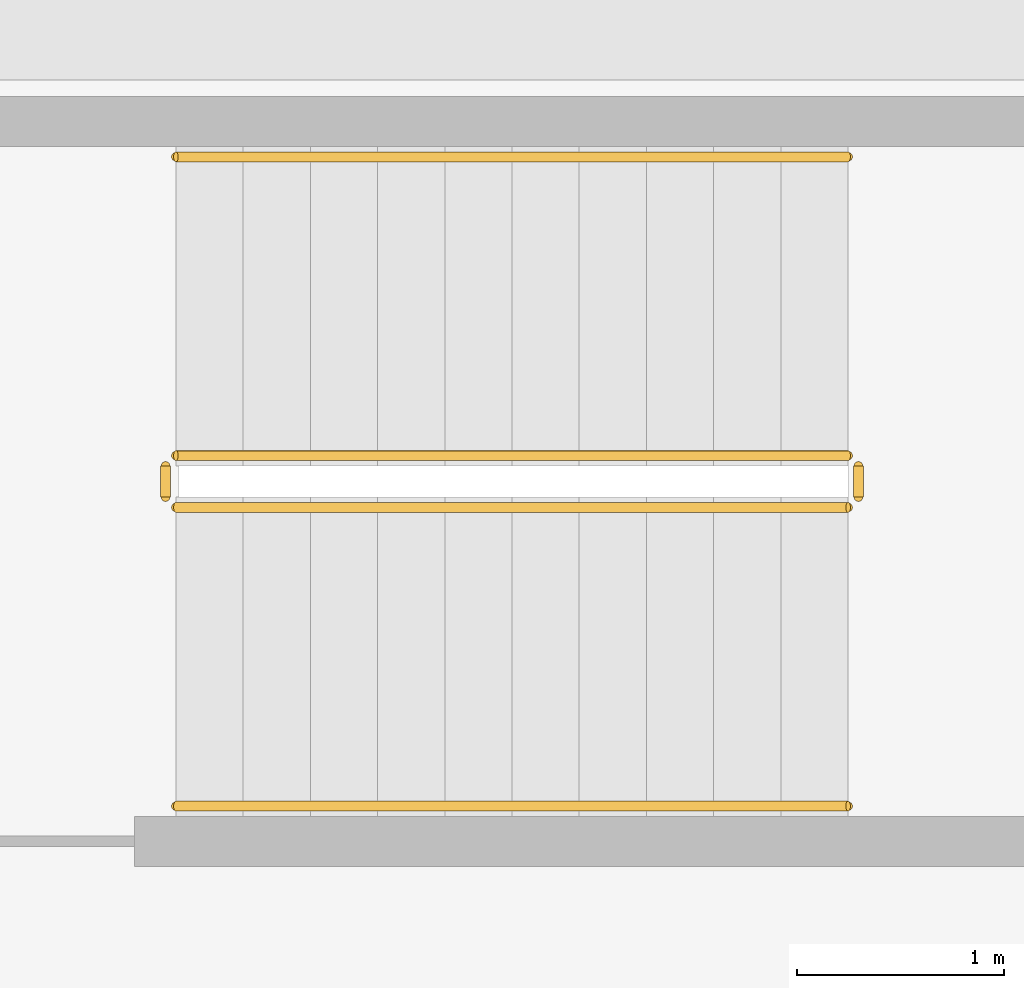
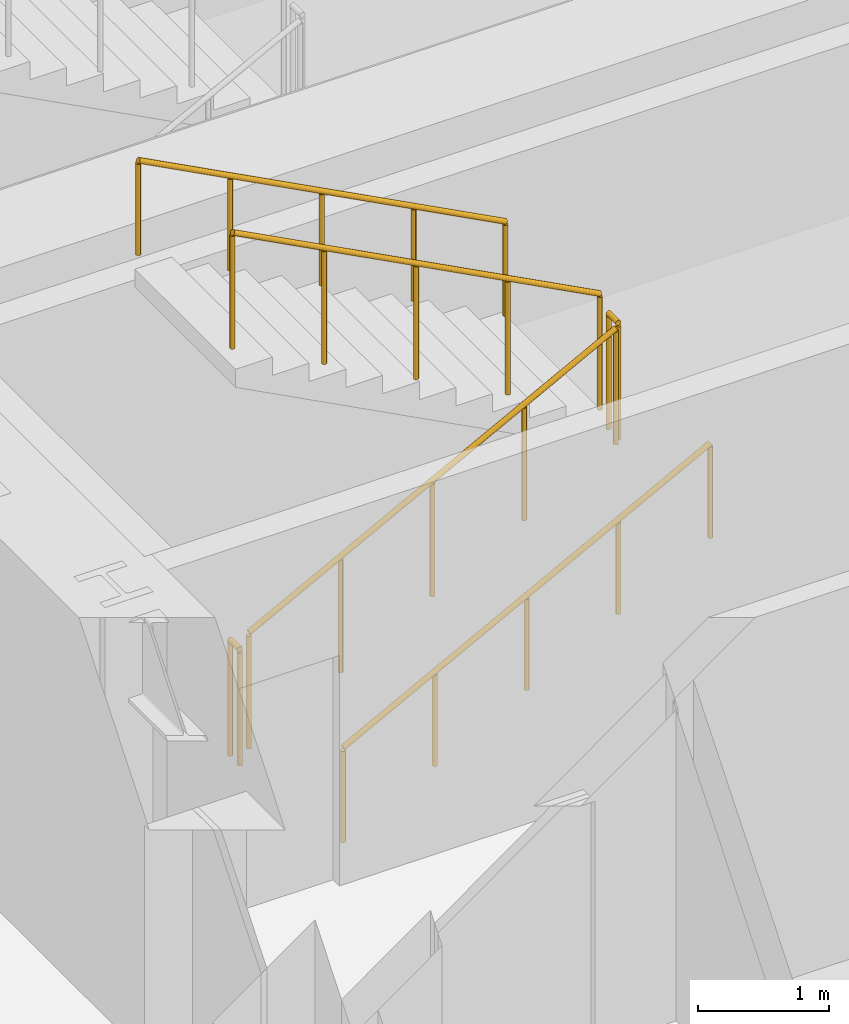
# One storey, part 11 of 14: 6 railings.
"""IFC4 building model written with IfcOpenShell, lengths in metres."""

from ifc_helpers import new_model, si_unit, direction, frame, origin, origin_2d, place, context, subcontext, project, spatial, circle, extrude, material, type_object, element, save


model = new_model("IFC4")

# Units and contexts
model_context = context("Model", 3, precision=1e-05, world=origin(), true_north=direction((0.0, 1.0)))
body_context = subcontext(model_context, "Body", "Model", "MODEL_VIEW")
ifc_project = project(units=[si_unit("LENGTHUNIT", "METRE"), si_unit("AREAUNIT", "SQUARE_METRE"), si_unit("VOLUMEUNIT", "CUBIC_METRE"), si_unit("PLANEANGLEUNIT", "RADIAN"), si_unit("MASSUNIT", "GRAM", prefix="KILO")], contexts=[model_context])

# Site, building, storey
site_placement = place(None, origin())
site = spatial("IfcSite", under=ifc_project, at=site_placement, CompositionType="ELEMENT")
building_placement = place(site_placement, origin())
building = spatial("IfcBuilding", under=site, at=building_placement, Name="Kolvaren Arena Tower", CompositionType="ELEMENT")
storey_placement = place(building_placement, frame((0.0, 0.0, 87.0)))
storey = spatial("IfcBuildingStorey", under=building, at=storey_placement, Name="L19", CompositionType="ELEMENT", Elevation=87.0)

# Railings
ifc_material_1 = material(Name="Painted galvanized steel", Category="steel")
railing_type_1 = type_object("IfcRailingType", Name="GUARD-ST-110", PredefinedType="GUARDRAIL", material=ifc_material_1)
railing_1_placement = place(storey_placement, frame((52.719970703125, 31.639892578125, 0.17041015625)))
element("IfcRailing", 1, at=railing_1_placement, inside=storey, type_object=railing_type_1, Name="L19 ST-E1 stair guard 1", PredefinedType="GUARDRAIL", context=body_context, shape_type="SweptSolid", body=[
    extrude(circle(Radius=0.02392578125, at=origin_2d()), frame((0.0, 0.0, 1.076171875), z_axis=(0.884993431791, 0.0, 0.465603506952), x_axis=(0.0, 1.0, 0.0)), (0.0, 0.0, 1.0), 3.6611328125),
    extrude(circle(Radius=0.02099609375, at=origin_2d()), origin(), (0.0, 0.0, 1.0), 1.052001953125),
    extrude(circle(Radius=0.02099609375, at=origin_2d()), frame((0.81005859375, 0.0, 0.42626953125)), (0.0, 0.0, 1.0), 1.052001953125),
    extrude(circle(Radius=0.02099609375, at=origin_2d()), frame((1.6201171875, 0.0, 0.852294921875)), (0.0, 0.0, 1.0), 1.052001953125),
    extrude(circle(Radius=0.02099609375, at=origin_2d()), frame((2.429931640625, 0.0, 1.2783203125)), (0.0, 0.0, 1.0), 1.052001953125),
    extrude(circle(Radius=0.02099609375, at=origin_2d()), frame((3.239990234375, 0.0, 1.70458984375)), (0.0, 0.0, 1.0), 1.052001953125),
])
railing_2_placement = place(storey_placement, frame((56.010009765625, 31.68994140625, 1.875)))
element("IfcRailing", 2, at=railing_2_placement, inside=storey, type_object=railing_type_1, Name="L19 ST-E1 stair guard 2", PredefinedType="GUARDRAIL", context=body_context, shape_type="SweptSolid", body=[
    extrude(circle(Radius=0.02392578125, at=origin_2d()), frame((0.0, 0.0, 1.076171875), z_axis=(0.0, 1.0, 0.0), x_axis=(-1.0, 0.0, 0.0)), (0.0, 0.0, 1.0), 0.150146484375),
    extrude(circle(Radius=0.02099609375, at=origin_2d()), origin(), (0.0, 0.0, 1.0), 1.052001953125),
    extrude(circle(Radius=0.02099609375, at=origin_2d()), frame((0.0, 0.150146484375, 0.0)), (0.0, 0.0, 1.0), 1.052001953125),
])
railing_3_placement = place(storey_placement, frame((55.9599609375, 31.889892578125, 2.04541015625)))
element("IfcRailing", 3, at=railing_3_placement, inside=storey, type_object=railing_type_1, Name="L19 ST-E1 stair guard 3", PredefinedType="GUARDRAIL", context=body_context, shape_type="SweptSolid", body=[
    extrude(circle(Radius=0.02392578125, at=origin_2d()), frame((0.0, 0.0, 1.076171875), z_axis=(-0.884993431791, 0.0, 0.465603506952), x_axis=(0.0, -1.0, 0.0)), (0.0, 0.0, 1.0), 3.6611328125),
    extrude(circle(Radius=0.02099609375, at=origin_2d()), origin(), (0.0, 0.0, 1.0), 1.052001953125),
    extrude(circle(Radius=0.02099609375, at=origin_2d()), frame((-0.81005859375, 0.0, 0.42626953125)), (0.0, 0.0, 1.0), 1.052001953125),
    extrude(circle(Radius=0.02099609375, at=origin_2d()), frame((-1.6201171875, 0.0, 0.852294921875)), (0.0, 0.0, 1.0), 1.052001953125),
    extrude(circle(Radius=0.02099609375, at=origin_2d()), frame((-2.429931640625, 0.0, 1.2783203125)), (0.0, 0.0, 1.0), 1.052001953125),
    extrude(circle(Radius=0.02099609375, at=origin_2d()), frame((-3.239990234375, 0.0, 1.70458984375)), (0.0, 0.0, 1.0), 1.052001953125),
])
railing_4_placement = place(storey_placement, frame((52.669921875, 31.68994140625, 0.0)))
element("IfcRailing", 4, at=railing_4_placement, inside=storey, type_object=railing_type_1, Name="L19 ST-E1 stair guard 4", PredefinedType="GUARDRAIL", context=body_context, shape_type="SweptSolid", body=[
    extrude(circle(Radius=0.02392578125, at=origin_2d()), frame((0.0, 0.0, 1.076171875), z_axis=(0.0, 1.0, 0.0), x_axis=(-1.0, 0.0, 0.0)), (0.0, 0.0, 1.0), 0.150146484375),
    extrude(circle(Radius=0.02099609375, at=origin_2d()), origin(), (0.0, 0.0, 1.0), 1.052001953125),
    extrude(circle(Radius=0.02099609375, at=origin_2d()), frame((0.0, 0.150146484375, 0.0)), (0.0, 0.0, 1.0), 1.052001953125),
])
ifc_material_2 = material(Name="Brushed stainless steel handrail", Category="steel")
railing_type_2 = type_object("IfcRailingType", Name="HRAIL-900", PredefinedType="HANDRAIL", material=ifc_material_2)
railing_5_placement = place(storey_placement, frame((52.719970703125, 30.199951171875, 0.17041015625)))
element("IfcRailing", 5, at=railing_5_placement, inside=storey, type_object=railing_type_2, Name="L19 ST-E1 stair handrail 1", PredefinedType="HANDRAIL", context=body_context, shape_type="SweptSolid", body=[
    extrude(circle(Radius=0.02392578125, at=origin_2d()), frame((0.0, 0.0, 0.8759765625), z_axis=(0.884993431791, 0.0, 0.465603506952), x_axis=(0.0, 1.0, 0.0)), (0.0, 0.0, 1.0), 3.6611328125),
    extrude(circle(Radius=0.02099609375, at=origin_2d()), origin(), (0.0, 0.0, 1.0), 0.851806640625),
    extrude(circle(Radius=0.02099609375, at=origin_2d()), frame((0.81005859375, 0.0, 0.42626953125)), (0.0, 0.0, 1.0), 0.851806640625),
    extrude(circle(Radius=0.02099609375, at=origin_2d()), frame((1.6201171875, 0.0, 0.852294921875)), (0.0, 0.0, 1.0), 0.851806640625),
    extrude(circle(Radius=0.02099609375, at=origin_2d()), frame((2.429931640625, 0.0, 1.2783203125)), (0.0, 0.0, 1.0), 0.851806640625),
    extrude(circle(Radius=0.02099609375, at=origin_2d()), frame((3.239990234375, 0.0, 1.70458984375)), (0.0, 0.0, 1.0), 0.851806640625),
])
railing_6_placement = place(storey_placement, frame((55.9599609375, 33.330078125, 2.04541015625)))
element("IfcRailing", 6, at=railing_6_placement, inside=storey, type_object=railing_type_2, Name="L19 ST-E1 stair handrail 2", PredefinedType="HANDRAIL", context=body_context, shape_type="SweptSolid", body=[
    extrude(circle(Radius=0.02392578125, at=origin_2d()), frame((0.0, 0.0, 0.8759765625), z_axis=(-0.884993431791, 0.0, 0.465603506952), x_axis=(0.0, -1.0, 0.0)), (0.0, 0.0, 1.0), 3.6611328125),
    extrude(circle(Radius=0.02099609375, at=origin_2d()), origin(), (0.0, 0.0, 1.0), 0.851806640625),
    extrude(circle(Radius=0.02099609375, at=origin_2d()), frame((-0.81005859375, 0.0, 0.42626953125)), (0.0, 0.0, 1.0), 0.851806640625),
    extrude(circle(Radius=0.02099609375, at=origin_2d()), frame((-1.6201171875, 0.0, 0.852294921875)), (0.0, 0.0, 1.0), 0.851806640625),
    extrude(circle(Radius=0.02099609375, at=origin_2d()), frame((-2.429931640625, 0.0, 1.2783203125)), (0.0, 0.0, 1.0), 0.851806640625),
    extrude(circle(Radius=0.02099609375, at=origin_2d()), frame((-3.239990234375, 0.0, 1.70458984375)), (0.0, 0.0, 1.0), 0.851806640625),
])

save(model, "model.ifc")
